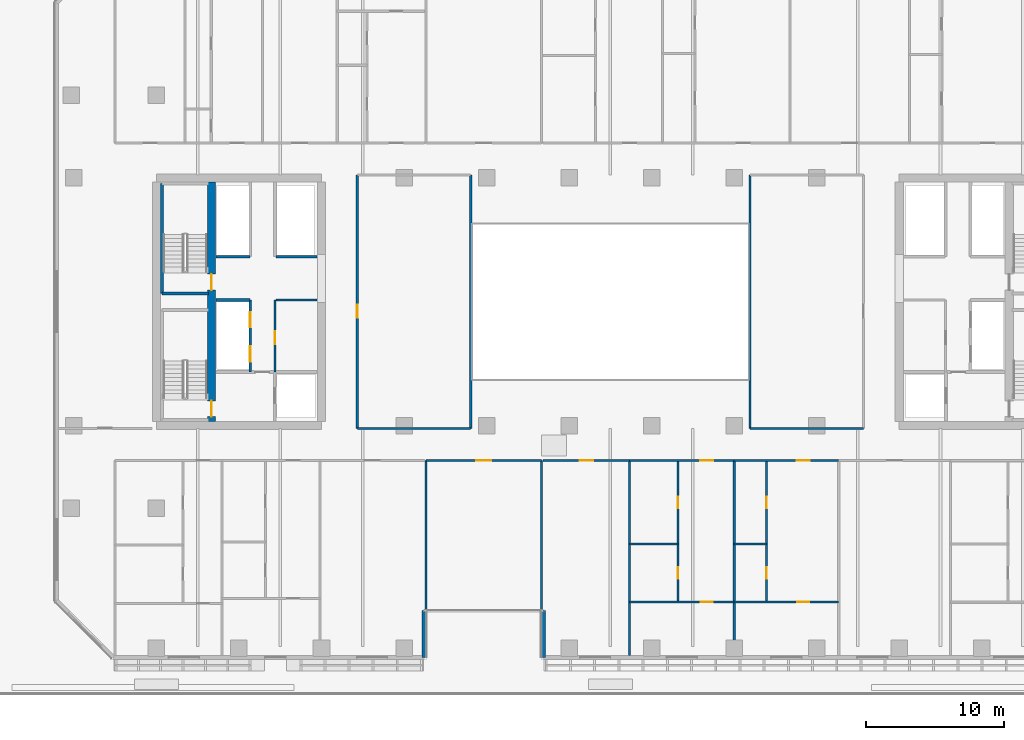
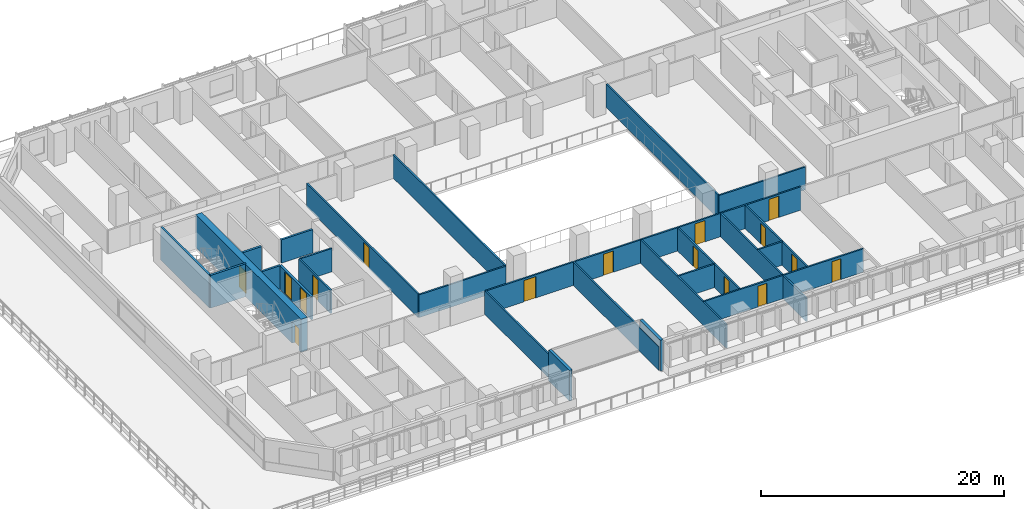
# One storey, part 7 of 23: 30 walls, 16 doors, 16 openings.
"""IFC4 building model written with IfcOpenShell, lengths in metres."""

from ifc_helpers import new_model, si_unit, direction, frame, frame_2d, origin, place, context, subcontext, project, spatial, rectangle, extrude, material, layer, layer_set, type_object, element, fill, save


model = new_model("IFC4")

# Units and contexts
model_context = context("Model", 3, precision=1e-05, world=origin(), true_north=direction((0.0, 1.0)))
body_context = subcontext(model_context, "Body", "Model", "MODEL_VIEW")
ifc_project = project(units=[si_unit("LENGTHUNIT", "METRE"), si_unit("AREAUNIT", "SQUARE_METRE"), si_unit("VOLUMEUNIT", "CUBIC_METRE"), si_unit("PLANEANGLEUNIT", "RADIAN"), si_unit("MASSUNIT", "GRAM", prefix="KILO")], contexts=[model_context])

# Site, building, storey
site_placement = place(None, origin())
site = spatial("IfcSite", under=ifc_project, at=site_placement, CompositionType="ELEMENT")
building_placement = place(site_placement, origin())
building = spatial("IfcBuilding", under=site, at=building_placement, Name="Tanjung Sevakor Pilgrim Tower", CompositionType="ELEMENT")
storey_placement = place(building_placement, frame((0.0, 0.0, 29.0400390625)))
storey = spatial("IfcBuildingStorey", under=building, at=storey_placement, Name="L07", CompositionType="ELEMENT", Elevation=29.0400390625)

# Wall, openings, doors
ifc_material_1 = material(Name="Concrete C60/75", Category="concrete")
ifc_layer_1 = layer(ifc_material_1, 0.60009765625)
ifc_layer_set_1 = layer_set([ifc_layer_1], Name="WALL-CW-600")
wall_type_1 = type_object("IfcWallType", Name="WALL-CW-600", PredefinedType="SHEAR", material=ifc_layer_set_1)
wall_1_placement = place(storey_placement, frame((28.0, 24.89990234375, 0.0), z_axis=(0.0, 0.0, 1.0), x_axis=(0.0, 1.0, 0.0)))
wall_1 = element("IfcWall", 1, at=wall_1_placement, inside=storey, type_object=wall_type_1, Name="L07 W Core Stair Spine Wall", PredefinedType="SHEAR", context=body_context, shape_type="SweptSolid", body=[
    extrude(rectangle(XDim=17.400146484375, YDim=0.60009765625, at=frame_2d((8.7001953125, 0.0))), origin(), (0.0, 0.0, 1.0), 3.300048828125),
])
opening_1_placement = place(wall_1_placement, frame((0.35009765625, 0.0, 0.0)))
opening_1 = element("IfcOpeningElement", 2, at=opening_1_placement, cuts=wall_1, Name="Opening ID-ST1", PredefinedType="OPENING", context=body_context, shape_type="SweptSolid", body=[
    extrude(rectangle(XDim=1.14990234375, YDim=2.14990234375, at=frame_2d((0.574951171875, 1.074951171875))), frame((0.0, 0.31005859375, 0.0), z_axis=(0.0, -1.0, 0.0), x_axis=(1.0, 0.0, 0.0)), (0.0, 0.0, 1.0), 0.6201171875),
])
opening_2_placement = place(wall_1_placement, frame((9.550048828125, 0.0, 0.0)))
opening_2 = element("IfcOpeningElement", 3, at=opening_2_placement, cuts=wall_1, Name="Opening ID-ST1", PredefinedType="OPENING", context=body_context, shape_type="SweptSolid", body=[
    extrude(rectangle(XDim=1.14990234375, YDim=2.14990234375, at=frame_2d((0.574951171875, 1.074951171875))), frame((0.0, 0.31005859375, 0.0), z_axis=(0.0, -1.0, 0.0), x_axis=(1.0, 0.0, 0.0)), (0.0, 0.0, 1.0), 0.6201171875),
])
ifc_material_2 = material(Name="Fire-Rated Steel S355J2", Category="steel")
door_type_1 = type_object("IfcDoorType", Name="DT-FIRE-1150", OperationType="NOTDEFINED", PredefinedType="DOOR", material=ifc_material_2)
door_1_placement = place(opening_1_placement, origin())
door_1 = element("IfcDoor", 4, at=door_1_placement, inside=storey, type_object=door_type_1, Name="L07 TS-W1 Stair Fire Door", OperationType="SINGLE_SWING_LEFT", OverallHeight=2.14990234375, OverallWidth=1.14990234375, PredefinedType="DOOR", context=body_context, shape_type="SweptSolid", body=[
    extrude(rectangle(XDim=1.14990234375, YDim=2.14990234375, at=frame_2d((0.574951171875, 1.074951171875))), frame((0.0, 0.02490234375, 0.0), z_axis=(0.0, -1.0, 0.0), x_axis=(1.0, 0.0, 0.0)), (0.0, 0.0, 1.0), 0.050048828125),
])
fill(opening_1, door_1)
door_2_placement = place(opening_2_placement, origin())
door_2 = element("IfcDoor", 5, at=door_2_placement, inside=storey, type_object=door_type_1, Name="L07 TS-W2 Stair Fire Door", OperationType="SINGLE_SWING_RIGHT", OverallHeight=2.14990234375, OverallWidth=1.14990234375, PredefinedType="DOOR", context=body_context, shape_type="SweptSolid", body=[
    extrude(rectangle(XDim=1.14990234375, YDim=2.14990234375, at=frame_2d((0.574951171875, 1.074951171875))), frame((0.0, 0.02490234375, 0.0), z_axis=(0.0, -1.0, 0.0), x_axis=(1.0, 0.0, 0.0)), (0.0, 0.0, 1.0), 0.050048828125),
])
fill(opening_2, door_2)

# Wall
ifc_material_3 = material(Name="Concrete C40/50", Category="concrete")
ifc_layer_2 = layer(ifc_material_3, 0.14990234375)
ifc_layer_set_2 = layer_set([ifc_layer_2], Name="WT-COMP-150")
wall_type_2 = type_object("IfcWallType", Name="WT-COMP-150", PredefinedType="SOLIDWALL", material=ifc_layer_set_2)
wall_2_placement = place(storey_placement, frame((32.679931640625, 33.719970703125, 0.0), z_axis=(0.0, 0.0, 1.0), x_axis=(1.0, 0.0, 0.0)))
element("IfcWall", 6, at=wall_2_placement, inside=storey, type_object=wall_type_2, Name="L07 Partition IW-L07-005", PredefinedType="SOLIDWALL", context=body_context, shape_type="SweptSolid", body=[
    extrude(rectangle(XDim=3.0, YDim=0.14990234375, at=frame_2d((1.5, 0.0))), origin(), (0.0, 0.0, 1.0), 2.35009765625),
])

# Wall, opening, door
wall_3_placement = place(storey_placement, frame((32.6201171875, 28.5, 0.0), z_axis=(0.0, 0.0, 1.0), x_axis=(0.0, 1.0, 0.0)))
wall_3 = element("IfcWall", 7, at=wall_3_placement, inside=storey, type_object=wall_type_2, Name="L07 Partition IW-L07-006", PredefinedType="SOLIDWALL", context=body_context, shape_type="SweptSolid", body=[
    extrude(rectangle(XDim=5.219970703125, YDim=0.14990234375, at=frame_2d((2.60986328125, 0.0))), origin(), (0.0, 0.0, 1.0), 2.35009765625),
])
opening_3_placement = place(wall_3_placement, frame((2.0, 0.0, 0.0)))
opening_3 = element("IfcOpeningElement", 8, at=opening_3_placement, cuts=wall_3, Name="Opening ID-FD2", PredefinedType="OPENING", context=body_context, shape_type="SweptSolid", body=[
    extrude(rectangle(XDim=0.949951171875, YDim=2.14990234375, at=frame_2d((0.47509765625, 1.074951171875))), frame((0.0, 0.0849609375, 0.0), z_axis=(0.0, -1.0, 0.0), x_axis=(1.0, 0.0, 0.0)), (0.0, 0.0, 1.0), 0.169921875),
])
ifc_material_4 = material(Name="Fire-Rated Timber", Category="wood")
door_type_2 = type_object("IfcDoorType", Name="DT-FIRE-950", OperationType="NOTDEFINED", PredefinedType="DOOR", material=ifc_material_4)
door_3_placement = place(opening_3_placement, origin())
door_3 = element("IfcDoor", 9, at=door_3_placement, inside=storey, type_object=door_type_2, Name="L07 Accessible WC Door", OperationType="SINGLE_SWING_RIGHT", OverallHeight=2.14990234375, OverallWidth=0.949951171875, PredefinedType="DOOR", context=body_context, shape_type="SweptSolid", body=[
    extrude(rectangle(XDim=0.949951171875, YDim=2.14990234375, at=frame_2d((0.47509765625, 1.074951171875))), frame((0.0, 0.02490234375, 0.0), z_axis=(0.0, -1.0, 0.0), x_axis=(1.0, 0.0, 0.0)), (0.0, 0.0, 1.0), 0.050048828125),
])
fill(opening_3, door_3)

# Wall
wall_4_placement = place(storey_placement, frame((38.60009765625, 24.39990234375, 0.0), z_axis=(0.0, 0.0, 1.0), x_axis=(1.0, 0.0, 0.0)))
element("IfcWall", 10, at=wall_4_placement, inside=storey, type_object=wall_type_2, Name="L07 Partition IW-L07-021", PredefinedType="SOLIDWALL", context=body_context, shape_type="SweptSolid", body=[
    extrude(rectangle(XDim=8.25, YDim=0.14990234375, at=frame_2d((4.125, 0.0))), origin(), (0.0, 0.0, 1.0), 2.295166015625),
])

# Wall, opening, door
wall_5_placement = place(storey_placement, frame((38.60009765625, 24.39990234375, 0.0), z_axis=(0.0, 0.0, 1.0), x_axis=(0.0, 1.0, 0.0)))
wall_5 = element("IfcWall", 11, at=wall_5_placement, inside=storey, type_object=wall_type_2, Name="L07 Partition IW-L07-023", PredefinedType="SOLIDWALL", context=body_context, shape_type="SweptSolid", body=[
    extrude(rectangle(XDim=18.400146484375, YDim=0.14990234375, at=frame_2d((9.2001953125, 0.0))), origin(), (0.0, 0.0, 1.0), 2.35009765625),
])
opening_4_placement = place(wall_5_placement, frame((8.02490234375, 0.0, 0.0)))
opening_4 = element("IfcOpeningElement", 12, at=opening_4_placement, cuts=wall_5, Name="Opening ID-RM1", PredefinedType="OPENING", context=body_context, shape_type="SweptSolid", body=[
    extrude(rectangle(XDim=0.949951171875, YDim=2.14990234375, at=frame_2d((0.47509765625, 1.074951171875))), frame((0.0, 0.0849609375, 0.0), z_axis=(0.0, -1.0, 0.0), x_axis=(1.0, 0.0, 0.0)), (0.0, 0.0, 1.0), 0.169921875),
])
ifc_material_5 = material(Name="Hardwood Timber", Category="wood")
door_type_3 = type_object("IfcDoorType", Name="DT-INT-950", OperationType="NOTDEFINED", PredefinedType="DOOR", material=ifc_material_5)
door_4_placement = place(opening_4_placement, origin())
door_4 = element("IfcDoor", 13, at=door_4_placement, inside=storey, type_object=door_type_3, Name="L07 Central West Room Door", OperationType="SINGLE_SWING_RIGHT", OverallHeight=2.14990234375, OverallWidth=0.949951171875, PredefinedType="DOOR", context=body_context, shape_type="SweptSolid", body=[
    extrude(rectangle(XDim=0.949951171875, YDim=2.14990234375, at=frame_2d((0.47509765625, 1.074951171875))), frame((0.0, 0.02490234375, 0.0), z_axis=(0.0, -1.0, 0.0), x_axis=(1.0, 0.0, 0.0)), (0.0, 0.0, 1.0), 0.050048828125),
])
fill(opening_4, door_4)

# Walls
wall_6_placement = place(storey_placement, frame((46.85009765625, 24.39990234375, 0.0), z_axis=(0.0, 0.0, 1.0), x_axis=(0.0, 1.0, 0.0)))
element("IfcWall", 14, at=wall_6_placement, inside=storey, type_object=wall_type_2, Name="L07 Partition IW-L07-024", PredefinedType="SOLIDWALL", context=body_context, shape_type="SweptSolid", body=[
    extrude(rectangle(XDim=18.400146484375, YDim=0.14990234375, at=frame_2d((9.2001953125, 0.0))), origin(), (0.0, 0.0, 1.0), 2.35009765625),
])
wall_7_placement = place(storey_placement, frame((67.14990234375, 24.39990234375, 0.0), z_axis=(0.0, 0.0, 1.0), x_axis=(1.0, 0.0, 0.0)))
element("IfcWall", 15, at=wall_7_placement, inside=storey, type_object=wall_type_2, Name="L07 Partition IW-L07-025", PredefinedType="SOLIDWALL", context=body_context, shape_type="SweptSolid", body=[
    extrude(rectangle(XDim=8.25, YDim=0.14990234375, at=frame_2d((4.125, 0.0))), origin(), (0.0, 0.0, 1.0), 2.295166015625),
])
wall_8_placement = place(storey_placement, frame((67.14990234375, 24.39990234375, 0.0), z_axis=(0.0, 0.0, 1.0), x_axis=(0.0, 1.0, 0.0)))
element("IfcWall", 16, at=wall_8_placement, inside=storey, type_object=wall_type_2, Name="L07 Partition IW-L07-027", PredefinedType="SOLIDWALL", context=body_context, shape_type="SweptSolid", body=[
    extrude(rectangle(XDim=18.400146484375, YDim=0.14990234375, at=frame_2d((9.2001953125, 0.0))), origin(), (0.0, 0.0, 1.0), 2.35009765625),
])

# Wall, opening, door
wall_9_placement = place(storey_placement, frame((43.60009765625, 22.050048828125, 0.0), z_axis=(0.0, 0.0, 1.0), x_axis=(1.0, 0.0, 0.0)))
wall_9 = element("IfcWall", 17, at=wall_9_placement, inside=storey, type_object=wall_type_2, Name="L07 Partition IW-L07-036", PredefinedType="SOLIDWALL", context=body_context, shape_type="SweptSolid", body=[
    extrude(rectangle(XDim=8.39990234375, YDim=0.14990234375, at=frame_2d((4.199951171875, 0.0))), origin(), (0.0, 0.0, 1.0), 2.35009765625),
])
opening_5_placement = place(wall_9_placement, frame((3.64990234375, 0.0, 0.0)))
opening_5 = element("IfcOpeningElement", 18, at=opening_5_placement, cuts=wall_9, Name="Opening ID-RM2", PredefinedType="OPENING", context=body_context, shape_type="SweptSolid", body=[
    extrude(rectangle(XDim=1.10009765625, YDim=2.14990234375, at=frame_2d((0.550048828125, 1.074951171875))), frame((0.0, 0.0849609375, 0.0), z_axis=(0.0, -1.0, 0.0), x_axis=(1.0, 0.0, 0.0)), (0.0, 0.0, 1.0), 0.169921875),
])
ifc_material_6 = material(Name="Hardwood Timber", Category="wood")
door_type_4 = type_object("IfcDoorType", Name="DT-INT-1100", OperationType="NOTDEFINED", PredefinedType="DOOR", material=ifc_material_6)
door_5_placement = place(opening_5_placement, origin())
door_5 = element("IfcDoor", 19, at=door_5_placement, inside=storey, type_object=door_type_4, Name="L07 South Cleft Communal Lounge Door", OperationType="SINGLE_SWING_LEFT", OverallHeight=2.14990234375, OverallWidth=1.10009765625, PredefinedType="DOOR", context=body_context, shape_type="SweptSolid", body=[
    extrude(rectangle(XDim=1.10009765625, YDim=2.14990234375, at=frame_2d((0.550048828125, 1.074951171875))), frame((0.0, 0.02490234375, 0.0), z_axis=(0.0, -1.0, 0.0), x_axis=(1.0, 0.0, 0.0)), (0.0, 0.0, 1.0), 0.050048828125),
])
fill(opening_5, door_5)

# Walls
for number, where, z_axis, x_axis, name in (
    (20, (43.60009765625, 7.8798828125, 0.0), (0.0, 0.0, 1.0), (0.0, 1.0, 0.0), "L07 Partition IW-L07-037"),
    (21, (52.0, 7.8798828125, 0.0), (0.0, 0.0, 1.0), (0.0, 1.0, 0.0), "L07 Partition IW-L07-038"),
    (22, (58.408203125, 7.8798828125, 0.0), (0.0, 0.0, 1.0), (0.0, 1.0, 0.0), "L07 Partition IW-L07-055"),
):
    element("IfcWall", number, at=place(storey_placement, frame(where, z_axis=z_axis, x_axis=x_axis)), inside=storey, type_object=wall_type_2, Name=name, PredefinedType="SOLIDWALL", context=body_context, shape_type="SweptSolid", body=[
        extrude(rectangle(XDim=14.170166015625, YDim=0.14990234375, at=frame_2d((7.0849609375, 0.0))), origin(), (0.0, 0.0, 1.0), 2.35009765625),
    ])

# Wall, opening, door
wall_10_placement = place(storey_placement, frame((52.1201171875, 22.050048828125, 0.0), z_axis=(0.0, 0.0, 1.0), x_axis=(1.0, 0.0, 0.0)))
wall_10 = element("IfcWall", 23, at=wall_10_placement, inside=storey, type_object=wall_type_2, Name="L07 Partition IW-L07-056", PredefinedType="SOLIDWALL", context=body_context, shape_type="SweptSolid", body=[
    extrude(rectangle(XDim=6.2880859375, YDim=0.14990234375, at=frame_2d((3.14404296875, 0.0))), origin(), (0.0, 0.0, 1.0), 2.35009765625),
])
opening_6_placement = place(wall_10_placement, frame((2.669189453125, 0.0, 0.0)))
opening_6 = element("IfcOpeningElement", 24, at=opening_6_placement, cuts=wall_10, Name="Opening ID-FD2", PredefinedType="OPENING", context=body_context, shape_type="SweptSolid", body=[
    extrude(rectangle(XDim=0.949951171875, YDim=2.14990234375, at=frame_2d((0.47509765625, 1.074951171875))), frame((0.0, 0.0849609375, 0.0), z_axis=(0.0, -1.0, 0.0), x_axis=(1.0, 0.0, 0.0)), (0.0, 0.0, 1.0), 0.169921875),
])
door_6_placement = place(opening_6_placement, origin())
door_6 = element("IfcDoor", 25, at=door_6_placement, inside=storey, type_object=door_type_2, Name="Housekeeping Pantry Door", OperationType="SINGLE_SWING_RIGHT", OverallHeight=2.14990234375, OverallWidth=0.949951171875, PredefinedType="DOOR", context=body_context, shape_type="SweptSolid", body=[
    extrude(rectangle(XDim=0.949951171875, YDim=2.14990234375, at=frame_2d((0.47509765625, 1.074951171875))), frame((0.0, 0.02490234375, 0.0), z_axis=(0.0, -1.0, 0.0), x_axis=(1.0, 0.0, 0.0)), (0.0, 0.0, 1.0), 0.050048828125),
])
fill(opening_6, door_6)

# Wall
wall_11_placement = place(storey_placement, frame((66.006591796875, 7.8798828125, 0.0), z_axis=(0.0, 0.0, 1.0), x_axis=(0.0, 1.0, 0.0)))
element("IfcWall", 26, at=wall_11_placement, inside=storey, type_object=wall_type_2, Name="L07 Partition IW-L07-057", PredefinedType="SOLIDWALL", context=body_context, shape_type="SweptSolid", body=[
    extrude(rectangle(XDim=14.170166015625, YDim=0.14990234375, at=frame_2d((7.0849609375, 0.0))), origin(), (0.0, 0.0, 1.0), 2.35009765625),
])

# Wall, opening, door
wall_12_placement = place(storey_placement, frame((58.408203125, 22.050048828125, 0.0), z_axis=(0.0, 0.0, 1.0), x_axis=(1.0, 0.0, 0.0)))
wall_12 = element("IfcWall", 27, at=wall_12_placement, inside=storey, type_object=wall_type_2, Name="L07 Partition IW-L07-061", PredefinedType="SOLIDWALL", context=body_context, shape_type="SweptSolid", body=[
    extrude(rectangle(XDim=7.598388671875, YDim=0.14990234375, at=frame_2d((3.79931640625, 0.0))), origin(), (0.0, 0.0, 1.0), 2.35009765625),
])
opening_7_placement = place(wall_12_placement, frame((5.1201171875, 0.0, 0.0)))
opening_7 = element("IfcOpeningElement", 28, at=opening_7_placement, cuts=wall_12, Name="Opening ID-FD2", PredefinedType="OPENING", context=body_context, shape_type="SweptSolid", body=[
    extrude(rectangle(XDim=0.949951171875, YDim=2.14990234375, at=frame_2d((0.47509765625, 1.074951171875))), frame((0.0, 0.0849609375, 0.0), z_axis=(0.0, -1.0, 0.0), x_axis=(1.0, 0.0, 0.0)), (0.0, 0.0, 1.0), 0.169921875),
])
door_7_placement = place(opening_7_placement, origin())
door_7 = element("IfcDoor", 29, at=door_7_placement, inside=storey, type_object=door_type_2, Name="Residence Entrance", OperationType="SINGLE_SWING_RIGHT", OverallHeight=2.14990234375, OverallWidth=0.949951171875, PredefinedType="DOOR", context=body_context, shape_type="SweptSolid", body=[
    extrude(rectangle(XDim=0.949951171875, YDim=2.14990234375, at=frame_2d((0.47509765625, 1.074951171875))), frame((0.0, 0.02490234375, 0.0), z_axis=(0.0, -1.0, 0.0), x_axis=(1.0, 0.0, 0.0)), (0.0, 0.0, 1.0), 0.050048828125),
])
fill(opening_7, door_7)

wall_13_placement = place(storey_placement, frame((66.006591796875, 22.050048828125, 0.0), z_axis=(0.0, 0.0, 1.0), x_axis=(1.0, 0.0, 0.0)))
wall_13 = element("IfcWall", 30, at=wall_13_placement, inside=storey, type_object=wall_type_2, Name="L07 Partition IW-L07-066", PredefinedType="SOLIDWALL", context=body_context, shape_type="SweptSolid", body=[
    extrude(rectangle(XDim=7.598388671875, YDim=0.14990234375, at=frame_2d((3.79931640625, 0.0))), origin(), (0.0, 0.0, 1.0), 2.35009765625),
])
opening_8_placement = place(wall_13_placement, frame((4.539306640625, 0.0, 0.0)))
opening_8 = element("IfcOpeningElement", 31, at=opening_8_placement, cuts=wall_13, Name="Opening ID-FD2", PredefinedType="OPENING", context=body_context, shape_type="SweptSolid", body=[
    extrude(rectangle(XDim=0.949951171875, YDim=2.14990234375, at=frame_2d((0.47509765625, 1.074951171875))), frame((0.0, 0.0849609375, 0.0), z_axis=(0.0, -1.0, 0.0), x_axis=(1.0, 0.0, 0.0)), (0.0, 0.0, 1.0), 0.169921875),
])
door_8_placement = place(opening_8_placement, origin())
door_8 = element("IfcDoor", 32, at=door_8_placement, inside=storey, type_object=door_type_2, Name="Residence Entrance", OperationType="SINGLE_SWING_RIGHT", OverallHeight=2.14990234375, OverallWidth=0.949951171875, PredefinedType="DOOR", context=body_context, shape_type="SweptSolid", body=[
    extrude(rectangle(XDim=0.949951171875, YDim=2.14990234375, at=frame_2d((0.47509765625, 1.074951171875))), frame((0.0, 0.02490234375, 0.0), z_axis=(0.0, -1.0, 0.0), x_axis=(1.0, 0.0, 0.0)), (0.0, 0.0, 1.0), 0.050048828125),
])
fill(opening_8, door_8)

# Walls
ifc_material_7 = material(Name="Precast concrete C45/55", Category="concrete")
ifc_layer_3 = layer(ifc_material_7, 0.280029296875)
ifc_layer_set_3 = layer_set([ifc_layer_3], Name="WT-EW-STN2")
wall_type_3 = type_object("IfcWallType", Name="WT-EW-STN2", PredefinedType="SOLIDWALL", material=ifc_layer_set_3)
for number, where, z_axis, x_axis, name in (
    (33, (43.4599609375, 7.739990234375, 0.0), (0.0, 0.0, 1.0), (0.0, 1.0, 0.0), "L07 MAIN Exterior Wall 2"),
    (34, (52.139892578125, 11.139892578125, 0.0), (0.0, 0.0, 1.0), (0.0, -1.0, 0.0), "L07 MAIN Exterior Wall 4"),
):
    element("IfcWall", number, at=place(storey_placement, frame(where, z_axis=z_axis, x_axis=x_axis)), inside=storey, type_object=wall_type_3, Name=name, PredefinedType="SOLIDWALL", context=body_context, shape_type="SweptSolid", body=[
        extrude(rectangle(XDim=3.39990234375, YDim=0.280029296875, at=frame_2d((1.699951171875, 0.0))), origin(), (0.0, 0.0, 1.0), 3.080078125),
    ])
ifc_material_8 = material(Name="Concrete C40/50", Category="concrete")
ifc_layer_4 = layer(ifc_material_8, 0.199951171875)
ifc_layer_set_4 = layer_set([ifc_layer_4], Name="WT-FIRE-200")
wall_type_4 = type_object("IfcWallType", Name="WT-FIRE-200", PredefinedType="SOLIDWALL", material=ifc_layer_set_4)
wall_14_placement = place(storey_placement, frame((24.39990234375, 34.199951171875, 0.0), z_axis=(0.0, 0.0, 1.0), x_axis=(1.0, 0.0, 0.0)))
element("IfcWall", 35, at=wall_14_placement, inside=storey, type_object=wall_type_4, Name="L07 TS-W2 Shaft Wall 1", PredefinedType="SOLIDWALL", context=body_context, shape_type="SweptSolid", body=[
    extrude(rectangle(XDim=3.400146484375, YDim=0.199951171875, at=frame_2d((1.7001953125, 0.0))), origin(), (0.0, 0.0, 1.0), 3.300048828125),
])
wall_15_placement = place(storey_placement, frame((24.39990234375, 42.199951171875, 0.0), z_axis=(0.0, 0.0, 1.0), x_axis=(0.0, -1.0, 0.0)))
element("IfcWall", 36, at=wall_15_placement, inside=storey, type_object=wall_type_4, Name="L07 TS-W2 Shaft Wall 3", PredefinedType="SOLIDWALL", context=body_context, shape_type="SweptSolid", body=[
    extrude(rectangle(XDim=8.0, YDim=0.199951171875, at=frame_2d((4.0, 0.0))), origin(), (0.0, 0.0, 1.0), 3.300048828125),
])
ifc_material_9 = material(Name="Concrete C40/50", Category="concrete")
ifc_layer_5 = layer(ifc_material_9, 0.199951171875)
ifc_layer_set_5 = layer_set([ifc_layer_5], Name="WT-FPRT-200")
wall_type_5 = type_object("IfcWallType", Name="WT-FPRT-200", PredefinedType="SOLIDWALL", material=ifc_layer_set_5)
wall_16_placement = place(storey_placement, frame((28.320068359375, 33.719970703125, 0.0), z_axis=(0.0, 0.0, 1.0), x_axis=(1.0, 0.0, 0.0)))
element("IfcWall", 37, at=wall_16_placement, inside=storey, type_object=wall_type_5, Name="L07 Partition IW-L07-003", PredefinedType="SOLIDWALL", context=body_context, shape_type="SweptSolid", body=[
    extrude(rectangle(XDim=2.47998046875, YDim=0.199951171875, at=frame_2d((1.239990234375, 0.0))), origin(), (0.0, 0.0, 1.0), 2.35009765625),
])

# Wall, openings, doors
wall_17_placement = place(storey_placement, frame((30.820068359375, 28.5, 0.0), z_axis=(0.0, 0.0, 1.0), x_axis=(0.0, 1.0, 0.0)))
wall_17 = element("IfcWall", 38, at=wall_17_placement, inside=storey, type_object=wall_type_5, Name="L07 Partition IW-L07-004", PredefinedType="SOLIDWALL", context=body_context, shape_type="SweptSolid", body=[
    extrude(rectangle(XDim=5.219970703125, YDim=0.199951171875, at=frame_2d((2.60986328125, 0.0))), origin(), (0.0, 0.0, 1.0), 2.35009765625),
])
opening_9_placement = place(wall_17_placement, frame((0.75, 0.0, 0.0)))
opening_9 = element("IfcOpeningElement", 39, at=opening_9_placement, cuts=wall_17, Name="Opening LD-1100", PredefinedType="OPENING", context=body_context, shape_type="SweptSolid", body=[
    extrude(rectangle(XDim=1.10009765625, YDim=2.199951171875, at=frame_2d((0.550048828125, 1.10009765625))), frame((0.0, 0.10986328125, 0.0), z_axis=(0.0, -1.0, 0.0), x_axis=(1.0, 0.0, 0.0)), (0.0, 0.0, 1.0), 0.219970703125),
])
opening_10_placement = place(wall_17_placement, frame((3.25, 0.0, 0.0)))
opening_10 = element("IfcOpeningElement", 40, at=opening_10_placement, cuts=wall_17, Name="Opening LD-1100", PredefinedType="OPENING", context=body_context, shape_type="SweptSolid", body=[
    extrude(rectangle(XDim=1.10009765625, YDim=2.199951171875, at=frame_2d((0.550048828125, 1.10009765625))), frame((0.0, 0.10986328125, 0.0), z_axis=(0.0, -1.0, 0.0), x_axis=(1.0, 0.0, 0.0)), (0.0, 0.0, 1.0), 0.219970703125),
])
ifc_material_10 = material(Name="Brushed Stainless Steel S355J2", Category="steel")
door_type_5 = type_object("IfcDoorType", Name="DT-LIFT-1100", OperationType="SLIDING_TO_LEFT", PredefinedType="DOOR", material=ifc_material_10)
door_9_placement = place(opening_9_placement, origin())
door_9 = element("IfcDoor", 41, at=door_9_placement, inside=storey, type_object=door_type_5, Name="LD-PLL1-W", OperationType="SLIDING_TO_LEFT", OverallHeight=2.199951171875, OverallWidth=1.10009765625, PredefinedType="DOOR", context=body_context, shape_type="SweptSolid", body=[
    extrude(rectangle(XDim=1.10009765625, YDim=2.199951171875, at=frame_2d((0.550048828125, 1.10009765625))), frame((0.0, 0.02490234375, 0.0), z_axis=(0.0, -1.0, 0.0), x_axis=(1.0, 0.0, 0.0)), (0.0, 0.0, 1.0), 0.050048828125),
])
fill(opening_9, door_9)
door_10_placement = place(opening_10_placement, origin())
door_10 = element("IfcDoor", 42, at=door_10_placement, inside=storey, type_object=door_type_5, Name="LD-PLL2-W", OperationType="SLIDING_TO_RIGHT", OverallHeight=2.199951171875, OverallWidth=1.10009765625, PredefinedType="DOOR", context=body_context, shape_type="SweptSolid", body=[
    extrude(rectangle(XDim=1.10009765625, YDim=2.199951171875, at=frame_2d((0.550048828125, 1.10009765625))), frame((0.0, 0.02490234375, 0.0), z_axis=(0.0, -1.0, 0.0), x_axis=(1.0, 0.0, 0.0)), (0.0, 0.0, 1.0), 0.050048828125),
])
fill(opening_10, door_10)

# Walls
wall_18_placement = place(storey_placement, frame((28.320068359375, 36.8798828125, 0.0), z_axis=(0.0, 0.0, 1.0), x_axis=(1.0, 0.0, 0.0)))
element("IfcWall", 43, at=wall_18_placement, inside=storey, type_object=wall_type_5, Name="L07 Partition IW-L07-007", PredefinedType="SOLIDWALL", context=body_context, shape_type="SweptSolid", body=[
    extrude(rectangle(XDim=2.47998046875, YDim=0.199951171875, at=frame_2d((1.239990234375, 0.0))), origin(), (0.0, 0.0, 1.0), 2.35009765625),
])
wall_19_placement = place(storey_placement, frame((32.679931640625, 36.8798828125, 0.0), z_axis=(0.0, 0.0, 1.0), x_axis=(1.0, 0.0, 0.0)))
element("IfcWall", 44, at=wall_19_placement, inside=storey, type_object=wall_type_5, Name="L07 Partition IW-L07-009", PredefinedType="SOLIDWALL", context=body_context, shape_type="SweptSolid", body=[
    extrude(rectangle(XDim=3.0, YDim=0.199951171875, at=frame_2d((1.5, 0.0))), origin(), (0.0, 0.0, 1.0), 2.35009765625),
])
ifc_material_11 = material(Name="Gypsum Board Partition", Category="gypsum board")
ifc_layer_6 = layer(ifc_material_11, 0.14990234375)
ifc_layer_set_6 = layer_set([ifc_layer_6], Name="WT-PART-150")
wall_type_6 = type_object("IfcWallType", Name="WT-PART-150", PredefinedType="PARTITIONING", material=ifc_layer_set_6)
wall_20_placement = place(storey_placement, frame((58.408203125, 15.980224609375, 0.0), z_axis=(0.0, 0.0, 1.0), x_axis=(1.0, 0.0, 0.0)))
element("IfcWall", 45, at=wall_20_placement, inside=storey, type_object=wall_type_6, Name="L07 Partition IW-L07-058", PredefinedType="PARTITIONING", context=body_context, shape_type="SweptSolid", body=[
    extrude(rectangle(XDim=3.51171875, YDim=0.14990234375, at=frame_2d((1.755859375, 0.0))), origin(), (0.0, 0.0, 1.0), 2.35009765625),
])

# Wall, openings, doors
wall_21_placement = place(storey_placement, frame((61.919921875, 11.762451171875, 0.0), z_axis=(0.0, 0.0, 1.0), x_axis=(0.0, 1.0, 0.0)))
wall_21 = element("IfcWall", 46, at=wall_21_placement, inside=storey, type_object=wall_type_6, Name="L07 Partition IW-L07-059", PredefinedType="PARTITIONING", context=body_context, shape_type="SweptSolid", body=[
    extrude(rectangle(XDim=10.28759765625, YDim=0.14990234375, at=frame_2d((5.143798828125, 0.0))), origin(), (0.0, 0.0, 1.0), 2.35009765625),
])
opening_11_placement = place(wall_21_placement, frame((1.68408203125, 0.0, 0.0)))
opening_11 = element("IfcOpeningElement", 47, at=opening_11_placement, cuts=wall_21, Name="Opening ID-WC1", PredefinedType="OPENING", context=body_context, shape_type="SweptSolid", body=[
    extrude(rectangle(XDim=0.85009765625, YDim=2.10009765625, at=frame_2d((0.425048828125, 1.050048828125))), frame((0.0, 0.0849609375, 0.0), z_axis=(0.0, -1.0, 0.0), x_axis=(1.0, 0.0, 0.0)), (0.0, 0.0, 1.0), 0.169921875),
])
opening_12_placement = place(wall_21_placement, frame((6.827880859375, 0.0, 0.0)))
opening_12 = element("IfcOpeningElement", 48, at=opening_12_placement, cuts=wall_21, Name="Opening ID-WC1", PredefinedType="OPENING", context=body_context, shape_type="SweptSolid", body=[
    extrude(rectangle(XDim=0.85009765625, YDim=2.10009765625, at=frame_2d((0.425048828125, 1.050048828125))), frame((0.0, 0.0849609375, 0.0), z_axis=(0.0, -1.0, 0.0), x_axis=(1.0, 0.0, 0.0)), (0.0, 0.0, 1.0), 0.169921875),
])
ifc_material_12 = material(Name="Moisture-Resistant Timber", Category="wood")
door_type_6 = type_object("IfcDoorType", Name="DT-INT-850", OperationType="NOTDEFINED", PredefinedType="DOOR", material=ifc_material_12)
door_11_placement = place(opening_11_placement, origin())
door_11 = element("IfcDoor", 49, at=door_11_placement, inside=storey, type_object=door_type_6, Name="Residence Bathroom Door", OperationType="SINGLE_SWING_LEFT", OverallHeight=2.10009765625, OverallWidth=0.85009765625, PredefinedType="DOOR", context=body_context, shape_type="SweptSolid", body=[
    extrude(rectangle(XDim=0.85009765625, YDim=2.10009765625, at=frame_2d((0.425048828125, 1.050048828125))), frame((0.0, 0.02490234375, 0.0), z_axis=(0.0, -1.0, 0.0), x_axis=(1.0, 0.0, 0.0)), (0.0, 0.0, 1.0), 0.050048828125),
])
fill(opening_11, door_11)
door_12_placement = place(opening_12_placement, origin())
door_12 = element("IfcDoor", 50, at=door_12_placement, inside=storey, type_object=door_type_6, Name="Residence Kitchenette Door", OperationType="SINGLE_SWING_RIGHT", OverallHeight=2.10009765625, OverallWidth=0.85009765625, PredefinedType="DOOR", context=body_context, shape_type="SweptSolid", body=[
    extrude(rectangle(XDim=0.85009765625, YDim=2.10009765625, at=frame_2d((0.425048828125, 1.050048828125))), frame((0.0, 0.02490234375, 0.0), z_axis=(0.0, -1.0, 0.0), x_axis=(1.0, 0.0, 0.0)), (0.0, 0.0, 1.0), 0.050048828125),
])
fill(opening_12, door_12)

# Wall, opening, door
wall_22_placement = place(storey_placement, frame((58.408203125, 11.762451171875, 0.0), z_axis=(0.0, 0.0, 1.0), x_axis=(1.0, 0.0, 0.0)))
wall_22 = element("IfcWall", 51, at=wall_22_placement, inside=storey, type_object=wall_type_6, Name="L07 Partition IW-L07-060", PredefinedType="PARTITIONING", context=body_context, shape_type="SweptSolid", body=[
    extrude(rectangle(XDim=7.598388671875, YDim=0.14990234375, at=frame_2d((3.79931640625, 0.0))), origin(), (0.0, 0.0, 1.0), 2.35009765625),
])
opening_13_placement = place(wall_22_placement, frame((5.169921875, 0.0, 0.0)))
opening_13 = element("IfcOpeningElement", 52, at=opening_13_placement, cuts=wall_22, Name="Opening ID-WC1", PredefinedType="OPENING", context=body_context, shape_type="SweptSolid", body=[
    extrude(rectangle(XDim=0.85009765625, YDim=2.10009765625, at=frame_2d((0.425048828125, 1.050048828125))), frame((0.0, 0.0849609375, 0.0), z_axis=(0.0, -1.0, 0.0), x_axis=(1.0, 0.0, 0.0)), (0.0, 0.0, 1.0), 0.169921875),
])
door_13_placement = place(opening_13_placement, origin())
door_13 = element("IfcDoor", 53, at=door_13_placement, inside=storey, type_object=door_type_6, Name="Residence Bedroom Door", OperationType="SINGLE_SWING_LEFT", OverallHeight=2.10009765625, OverallWidth=0.85009765625, PredefinedType="DOOR", context=body_context, shape_type="SweptSolid", body=[
    extrude(rectangle(XDim=0.85009765625, YDim=2.10009765625, at=frame_2d((0.425048828125, 1.050048828125))), frame((0.0, 0.02490234375, 0.0), z_axis=(0.0, -1.0, 0.0), x_axis=(1.0, 0.0, 0.0)), (0.0, 0.0, 1.0), 0.050048828125),
])
fill(opening_13, door_13)

# Wall
wall_23_placement = place(storey_placement, frame((66.006591796875, 15.980224609375, 0.0), z_axis=(0.0, 0.0, 1.0), x_axis=(1.0, 0.0, 0.0)))
element("IfcWall", 54, at=wall_23_placement, inside=storey, type_object=wall_type_6, Name="L07 Partition IW-L07-063", PredefinedType="PARTITIONING", context=body_context, shape_type="SweptSolid", body=[
    extrude(rectangle(XDim=2.35009765625, YDim=0.14990234375, at=frame_2d((1.175048828125, 0.0))), origin(), (0.0, 0.0, 1.0), 2.35009765625),
])

# Wall, openings, doors
wall_24_placement = place(storey_placement, frame((68.356689453125, 11.762451171875, 0.0), z_axis=(0.0, 0.0, 1.0), x_axis=(0.0, 1.0, 0.0)))
wall_24 = element("IfcWall", 55, at=wall_24_placement, inside=storey, type_object=wall_type_6, Name="L07 Partition IW-L07-064", PredefinedType="PARTITIONING", context=body_context, shape_type="SweptSolid", body=[
    extrude(rectangle(XDim=10.28759765625, YDim=0.14990234375, at=frame_2d((5.143798828125, 0.0))), origin(), (0.0, 0.0, 1.0), 2.35009765625),
])
opening_14_placement = place(wall_24_placement, frame((1.68408203125, 0.0, 0.0)))
opening_14 = element("IfcOpeningElement", 56, at=opening_14_placement, cuts=wall_24, Name="Opening ID-WC1", PredefinedType="OPENING", context=body_context, shape_type="SweptSolid", body=[
    extrude(rectangle(XDim=0.85009765625, YDim=2.10009765625, at=frame_2d((0.425048828125, 1.050048828125))), frame((0.0, 0.0849609375, 0.0), z_axis=(0.0, -1.0, 0.0), x_axis=(1.0, 0.0, 0.0)), (0.0, 0.0, 1.0), 0.169921875),
])
opening_15_placement = place(wall_24_placement, frame((6.827880859375, 0.0, 0.0)))
opening_15 = element("IfcOpeningElement", 57, at=opening_15_placement, cuts=wall_24, Name="Opening ID-WC1", PredefinedType="OPENING", context=body_context, shape_type="SweptSolid", body=[
    extrude(rectangle(XDim=0.85009765625, YDim=2.10009765625, at=frame_2d((0.425048828125, 1.050048828125))), frame((0.0, 0.0849609375, 0.0), z_axis=(0.0, -1.0, 0.0), x_axis=(1.0, 0.0, 0.0)), (0.0, 0.0, 1.0), 0.169921875),
])
door_14_placement = place(opening_14_placement, origin())
door_14 = element("IfcDoor", 58, at=door_14_placement, inside=storey, type_object=door_type_6, Name="Residence Bathroom Door", OperationType="SINGLE_SWING_LEFT", OverallHeight=2.10009765625, OverallWidth=0.85009765625, PredefinedType="DOOR", context=body_context, shape_type="SweptSolid", body=[
    extrude(rectangle(XDim=0.85009765625, YDim=2.10009765625, at=frame_2d((0.425048828125, 1.050048828125))), frame((0.0, 0.02490234375, 0.0), z_axis=(0.0, -1.0, 0.0), x_axis=(1.0, 0.0, 0.0)), (0.0, 0.0, 1.0), 0.050048828125),
])
fill(opening_14, door_14)
door_15_placement = place(opening_15_placement, origin())
door_15 = element("IfcDoor", 59, at=door_15_placement, inside=storey, type_object=door_type_6, Name="Residence Kitchenette Door", OperationType="SINGLE_SWING_RIGHT", OverallHeight=2.10009765625, OverallWidth=0.85009765625, PredefinedType="DOOR", context=body_context, shape_type="SweptSolid", body=[
    extrude(rectangle(XDim=0.85009765625, YDim=2.10009765625, at=frame_2d((0.425048828125, 1.050048828125))), frame((0.0, 0.02490234375, 0.0), z_axis=(0.0, -1.0, 0.0), x_axis=(1.0, 0.0, 0.0)), (0.0, 0.0, 1.0), 0.050048828125),
])
fill(opening_15, door_15)

# Wall, opening, door
wall_25_placement = place(storey_placement, frame((66.006591796875, 11.762451171875, 0.0), z_axis=(0.0, 0.0, 1.0), x_axis=(1.0, 0.0, 0.0)))
wall_25 = element("IfcWall", 60, at=wall_25_placement, inside=storey, type_object=wall_type_6, Name="L07 Partition IW-L07-065", PredefinedType="PARTITIONING", context=body_context, shape_type="SweptSolid", body=[
    extrude(rectangle(XDim=7.598388671875, YDim=0.14990234375, at=frame_2d((3.79931640625, 0.0))), origin(), (0.0, 0.0, 1.0), 2.35009765625),
])
opening_16_placement = place(wall_25_placement, frame((4.589111328125, 0.0, 0.0)))
opening_16 = element("IfcOpeningElement", 61, at=opening_16_placement, cuts=wall_25, Name="Opening ID-WC1", PredefinedType="OPENING", context=body_context, shape_type="SweptSolid", body=[
    extrude(rectangle(XDim=0.85009765625, YDim=2.10009765625, at=frame_2d((0.425048828125, 1.050048828125))), frame((0.0, 0.0849609375, 0.0), z_axis=(0.0, -1.0, 0.0), x_axis=(1.0, 0.0, 0.0)), (0.0, 0.0, 1.0), 0.169921875),
])
door_16_placement = place(opening_16_placement, origin())
door_16 = element("IfcDoor", 62, at=door_16_placement, inside=storey, type_object=door_type_6, Name="Residence Bedroom Door", OperationType="SINGLE_SWING_LEFT", OverallHeight=2.10009765625, OverallWidth=0.85009765625, PredefinedType="DOOR", context=body_context, shape_type="SweptSolid", body=[
    extrude(rectangle(XDim=0.85009765625, YDim=2.10009765625, at=frame_2d((0.425048828125, 1.050048828125))), frame((0.0, 0.02490234375, 0.0), z_axis=(0.0, -1.0, 0.0), x_axis=(1.0, 0.0, 0.0)), (0.0, 0.0, 1.0), 0.050048828125),
])
fill(opening_16, door_16)

save(model, "model.ifc")
